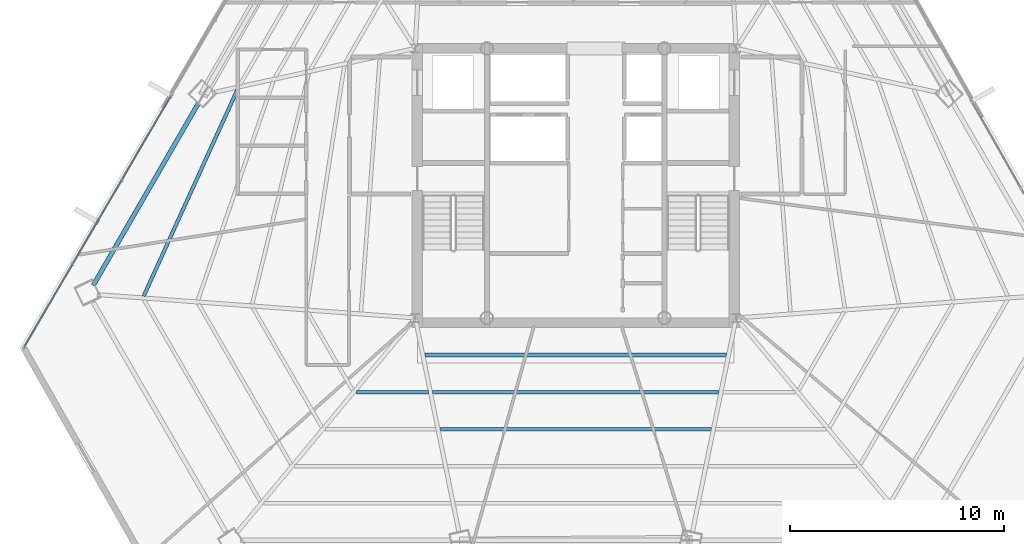
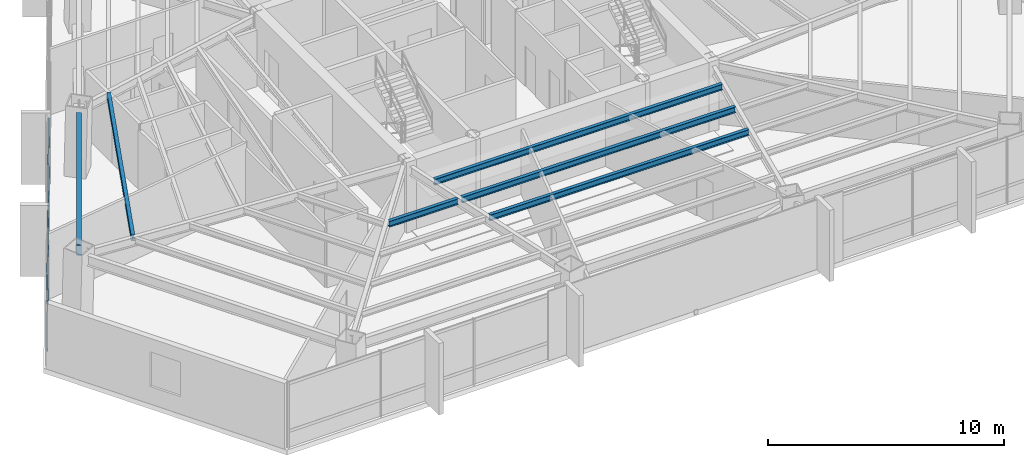
# One storey, part 11 of 41: 6 beams, 2 members, 1 element without a shape of its own.
"""IFC4 building model written with IfcOpenShell, lengths in metres."""

import ifcopenshell
import ifcopenshell.guid

model = None  # the IFC model being written
_history = None  # IfcOwnerHistory: only IFC2X3 demands one
_inside = {}  # id of a spatial element -> (the spatial element, [elements in it])
_under = {}  # id of a project, library or spatial element -> (it, [spatial elements below it])
_declared = {}  # id of a project -> (the project, [libraries it declares])
_typed = {}  # id of a type object -> (the type object, [elements of that type])
_made_of = {}  # id of a material, layer set ... -> (it, [elements and type objects made of it])


def new_model(schema):
    """Start an empty IFC model of exactly this schema.

    Asked for "IFC4X3", IfcOpenShell would pick the latest addendum, in which some entities
    have other attributes; the version numbers below select the first issue.
    IFC2X3 requires an IfcOwnerHistory on every rooted entity: one is made here for all.
    """
    global model, _history
    if schema == "IFC4X3":
        model = ifcopenshell.file(schema_version=(4, 3, 0, 0))
    else:
        model = ifcopenshell.file(schema=schema)
    _inside.clear()
    _under.clear()
    _declared.clear()
    _typed.clear()
    _made_of.clear()
    _history = None
    if model.schema == "IFC2X3":
        org = make("IfcOrganization", Name="unknown")
        user = make(
            "IfcPersonAndOrganization",
            ThePerson=make("IfcPerson", FamilyName="unknown"),
            TheOrganization=org,
        )
        app = make(
            "IfcApplication",
            ApplicationDeveloper=org,
            Version="unknown",
            ApplicationFullName="unknown",
            ApplicationIdentifier="unknown",
        )
        _history = make(
            "IfcOwnerHistory",
            OwningUser=user,
            OwningApplication=app,
            ChangeAction="ADDED",
            CreationDate=0,
        )
    return model


def make(cls, **values):
    """One entity of the class cls with the attributes given. An attribute that is None is left unset."""
    return model.create_entity(
        cls, **{name: value for name, value in values.items() if value is not None}
    )


def rooted(cls, **values):
    """An entity with a GlobalId (a new one), such as an element, a storey or a relation."""
    return make(cls, GlobalId=ifcopenshell.guid.new(), OwnerHistory=_history, **values)


def si_unit(unit_type, name, prefix=None):
    """IfcSIUnit, for example si_unit("LENGTHUNIT", "METRE", prefix="MILLI")."""
    return make("IfcSIUnit", UnitType=unit_type, Prefix=prefix, Name=name)


def assignment(units):
    """IfcUnitAssignment: the units of a project."""
    return None if units is None else make("IfcUnitAssignment", Units=units)


def point(xyz):
    """IfcCartesianPoint."""
    return None if xyz is None else make("IfcCartesianPoint", Coordinates=xyz)


def direction(xyz):
    """IfcDirection."""
    return None if xyz is None else make("IfcDirection", DirectionRatios=xyz)


def frame(location, z_axis=None, x_axis=None):
    """IfcAxis2Placement3D, a coordinate frame: its origin and axes. An axis left out is left unset."""
    return make(
        "IfcAxis2Placement3D",
        Location=point(location),
        Axis=direction(z_axis),
        RefDirection=direction(x_axis),
    )


def frame_2d(location, x_axis=None):
    """IfcAxis2Placement2D, a coordinate frame in the plane: its origin and x axis."""
    return make(
        "IfcAxis2Placement2D", Location=point(location), RefDirection=direction(x_axis)
    )


def origin():
    """The frame at (0, 0, 0) with its axes left unset."""
    return frame((0.0, 0.0, 0.0))


def origin_2d():
    """The frame at (0, 0) in the plane with its x axis left unset."""
    return frame_2d((0.0, 0.0))


def place(relative_to, where):
    """IfcLocalPlacement: puts the frame where relative to a parent placement (None: the world)."""
    return make(
        "IfcLocalPlacement", PlacementRelTo=relative_to, RelativePlacement=where
    )


def context(
    kind, dimensions, precision=None, world=None, true_north=None, identifier=None
):
    """IfcGeometricRepresentationContext, for example the 3D "Model" context."""
    return make(
        "IfcGeometricRepresentationContext",
        ContextIdentifier=identifier,
        ContextType=kind,
        CoordinateSpaceDimension=dimensions,
        Precision=precision,
        WorldCoordinateSystem=world,
        TrueNorth=true_north,
    )


def subcontext(parent, identifier, kind, view, scale=None):
    """IfcGeometricRepresentationSubContext, for example "Body" below "Model"."""
    return make(
        "IfcGeometricRepresentationSubContext",
        ContextIdentifier=identifier,
        ContextType=kind,
        ParentContext=parent,
        TargetScale=scale,
        TargetView=view,
    )


def project(units=None, contexts=None):
    """IfcProject with its units and contexts."""
    return rooted(
        "IfcProject",
        Name="project",
        RepresentationContexts=contexts,
        UnitsInContext=assignment(units),
    )


def spatial(cls, under=None, at=None, **own):
    """A site, building, storey or space (cls), placed at a placement, below another one or the project."""
    s = rooted(cls, ObjectPlacement=at, **own)
    if under is not None:
        _under.setdefault(under.id(), (under, []))[1].append(s)
    return s


def profile(cls, at=None, kind="AREA", **sizes):
    """A parametric profile (cls). Its sizes go by their IFC names, for example OverallWidth=200.0."""
    return make(cls, ProfileType=kind, Position=at, **sizes)


def hollow_rectangle(**sizes):
    """IfcRectangleHollowProfileDef."""
    return profile("IfcRectangleHollowProfileDef", **sizes)


def i_section(**sizes):
    """IfcIShapeProfileDef."""
    return profile("IfcIShapeProfileDef", **sizes)


def extrude(swept, where, along, depth):
    """IfcExtrudedAreaSolid: the profile swept, set in the frame where, extruded along a direction by depth."""
    return make(
        "IfcExtrudedAreaSolid",
        SweptArea=swept,
        Position=where,
        ExtrudedDirection=direction(along),
        Depth=depth,
    )


def shape(context_of_items, identifier, shape_type, items):
    """IfcShapeRepresentation: the items that make up one representation, for example the "Body"."""
    return make(
        "IfcShapeRepresentation",
        ContextOfItems=context_of_items,
        RepresentationIdentifier=identifier,
        RepresentationType=shape_type,
        Items=items,
    )


def source(mapping_origin, context_of_items, identifier, shape_type, items):
    """IfcRepresentationMap: a shape defined once, which mapped items show again and again."""
    return make(
        "IfcRepresentationMap",
        MappingOrigin=mapping_origin,
        MappedRepresentation=shape(context_of_items, identifier, shape_type, items),
    )


def transform(
    local_origin,
    x_axis=None,
    y_axis=None,
    z_axis=None,
    scale=None,
    scale2=None,
    scale3=None,
    uniform=True,
):
    """IfcCartesianTransformationOperator3D, or its non-uniform kind. x_axis, y_axis, z_axis: its Axis1, 2, 3."""
    if uniform:
        return make(
            "IfcCartesianTransformationOperator3D",
            Axis1=direction(x_axis),
            Axis2=direction(y_axis),
            LocalOrigin=point(local_origin),
            Scale=scale,
            Axis3=direction(z_axis),
        )
    return make(
        "IfcCartesianTransformationOperator3DnonUniform",
        Axis1=direction(x_axis),
        Axis2=direction(y_axis),
        LocalOrigin=point(local_origin),
        Scale=scale,
        Axis3=direction(z_axis),
        Scale2=scale2,
        Scale3=scale3,
    )


def mapped(mapping_source, mapping_target):
    """IfcMappedItem: shows the shape of a source again, moved by a transform."""
    return make(
        "IfcMappedItem", MappingSource=mapping_source, MappingTarget=mapping_target
    )


def material(Name=None, Category=None):
    """IfcMaterial."""
    return make("IfcMaterial", Name=Name, Category=Category)


def material_profile(
    of_material, cross_section, Name=None, Category=None, Priority=None
):
    """IfcMaterialProfile: a cross section and its material."""
    return make(
        "IfcMaterialProfile",
        Name=Name,
        Material=of_material,
        Profile=cross_section,
        Priority=Priority,
        Category=Category,
    )


def profile_set(profiles, Name=None, composite=None):
    """IfcMaterialProfileSet."""
    return make(
        "IfcMaterialProfileSet",
        Name=Name,
        MaterialProfiles=profiles,
        CompositeProfile=composite,
    )


def made_of(thing, what):
    """Note that an element or type object is made of a material, layer set ...; save() writes the relation."""
    if what is not None:
        _made_of.setdefault(what.id(), (what, []))[1].append(thing)
    return thing


def type_object(cls, material=None, **own):
    """A type object (cls), such as IfcWallType, which elements share."""
    return made_of(rooted(cls, **own), material)


def type_shapes(of_type, sources):
    """Give a type object the sources (RepresentationMaps) that its elements show as mapped items."""
    of_type.RepresentationMaps = sources


def element(
    cls,
    number,
    at=None,
    inside=None,
    cuts=None,
    type_object=None,
    material=None,
    context=None,
    identifier="Body",
    shape_type=None,
    held_by="IfcProductDefinitionShape",
    body=None,
    shapes=None,
    **own,
):
    """One element of the class cls, such as IfcWall. Its Tag is "e" and its number.

    at: its placement. inside: the storey or other place that contains it. cuts: it is an
    opening in that element (IfcRelVoidsElement). A single representation is given by context,
    identifier, shape_type and body (its items); several are given by shapes. held_by: the class
    of the entity that holds the representations. save() writes the other relations.
    """
    e = rooted(cls, Tag="e%d" % number, ObjectPlacement=at, **own)
    if body is not None:
        shapes = [shape(context, identifier, shape_type, body)]
    if shapes is not None:
        e.Representation = make(held_by, Representations=shapes)
    if inside is not None:
        _inside.setdefault(inside.id(), (inside, []))[1].append(e)
    if cuts is not None:
        rooted(
            "IfcRelVoidsElement", RelatingBuildingElement=cuts, RelatedOpeningElement=e
        )
    if type_object is not None:
        _typed.setdefault(type_object.id(), (type_object, []))[1].append(e)
    return made_of(e, material)


def aggregate(whole, parts):
    """IfcRelAggregates: a whole, such as a stair, and the parts it consists of."""
    return rooted("IfcRelAggregates", RelatingObject=whole, RelatedObjects=parts)


def save(model, path):
    """Write the relations noted so far, then the file.

    IfcRelAggregates (storeys below a building ...), IfcRelContainedInSpatialStructure (elements
    in a storey), IfcRelDefinesByType, IfcRelAssociatesMaterial and IfcRelDeclares: one each for
    every whole, place, type object, material and project.
    """
    for whole, parts in _under.values():
        aggregate(whole, parts)
    for where, things in _inside.values():
        rooted(
            "IfcRelContainedInSpatialStructure",
            RelatedElements=things,
            RelatingStructure=where,
        )
    for kind, things in _typed.values():
        rooted("IfcRelDefinesByType", RelatedObjects=things, RelatingType=kind)
    for what, things in _made_of.values():
        rooted("IfcRelAssociatesMaterial", RelatedObjects=things, RelatingMaterial=what)
    for by, libraries in _declared.values():
        rooted("IfcRelDeclares", RelatingContext=by, RelatedDefinitions=libraries)
    model.write(path)


model = new_model("IFC4")

# Units and contexts
model_context = context("Model", 3, precision=1e-05, world=origin(), true_north=direction((0.0, 1.0)))
body_context = subcontext(model_context, "Body", "Model", "MODEL_VIEW")
ifc_project = project(units=[si_unit("LENGTHUNIT", "METRE"), si_unit("AREAUNIT", "SQUARE_METRE"), si_unit("VOLUMEUNIT", "CUBIC_METRE"), si_unit("PLANEANGLEUNIT", "RADIAN"), si_unit("MASSUNIT", "GRAM", prefix="KILO")], contexts=[model_context])

# Site, building, storey
site_placement = place(None, origin())
site = spatial("IfcSite", under=ifc_project, at=site_placement, CompositionType="ELEMENT")
building_placement = place(site_placement, origin())
building = spatial("IfcBuilding", under=site, at=building_placement, Name="Caelisora Broadcast Tower", CompositionType="ELEMENT")
storey_placement = place(building_placement, frame((0.0, 0.0, 135.449951171875)))
storey = spatial("IfcBuildingStorey", under=building, at=storey_placement, Name="L35", CompositionType="ELEMENT", Elevation=135.449951171875)

# Beams
ifc_material_1 = material(Name="Steel Grade 350 (AS/NZS 3679.1)", Category="steel")
ifc_material_profile_1 = material_profile(ifc_material_1, i_section(OverallWidth=0.208984375, OverallDepth=0.532958984375, WebThickness=0.01025390625, FlangeThickness=0.015625, at=origin_2d()), Name="Steel Grade 350 (AS/NZS 3679.1)")
ifc_profile_set_1 = profile_set([ifc_material_profile_1], Name="Steel Grade 350 (AS/NZS 3679.1)")
beam_type_1 = type_object("IfcBeamType", Name="PG05", PredefinedType="BEAM", material=ifc_profile_set_1)
shared_shape_1 = source(origin(), body_context, "Body", "SweptSolid", [
    extrude(i_section(OverallWidth=0.208984375, OverallDepth=0.532958984375, WebThickness=0.01025390625, FlangeThickness=0.015625, at=origin_2d()), origin(), (0.0, 0.0, 1.0), 9.8359375),
])
type_shapes(beam_type_1, [shared_shape_1])
beam_1_placement = place(storey_placement, frame((20.365966796875, 27.439697265625, 3.133544921875), z_axis=(-0.500004637421, -0.866022726352, 0.0), x_axis=(0.866022726352, -0.500004637421, 0.0)))
element("IfcBeam", 1, at=beam_1_placement, inside=storey, type_object=beam_type_1, Name="L35 beam PG05", PredefinedType="BEAM", context=body_context, shape_type="MappedRepresentation", body=[
    mapped(shared_shape_1, transform((0.0, 0.0, 0.0), scale=1.0)),
])
ifc_material_profile_2 = material_profile(ifc_material_1, i_section(OverallWidth=0.166015625, OverallDepth=0.30712890625, WebThickness=0.006591796875, FlangeThickness=0.01171875, at=origin_2d()), Name="Steel Grade 350 (AS/NZS 3679.1)")
ifc_profile_set_2 = profile_set([ifc_material_profile_2], Name="Steel Grade 350 (AS/NZS 3679.1)")
beam_type_2 = type_object("IfcBeamType", Name="SB03", PredefinedType="JOIST", material=ifc_profile_set_2)
shared_shape_2 = source(origin(), body_context, "Body", "SweptSolid", [
    extrude(i_section(OverallWidth=0.166015625, OverallDepth=0.30712890625, WebThickness=0.006591796875, FlangeThickness=0.01171875, at=origin_2d()), origin(), (0.0, 0.0, 1.0), 10.6181640625),
])
beam_2_placement = place(storey_placement, frame((22.198486328125, 28.0927734375, 3.246337890625), z_axis=(-0.413685142483, -0.910420014548, 0.0), x_axis=(0.910420014548, -0.413685142483, 0.0)))
element("IfcBeam", 2, at=beam_2_placement, inside=storey, type_object=beam_type_2, Name="L35 beam SB03", PredefinedType="JOIST", context=body_context, shape_type="MappedRepresentation", body=[
    mapped(shared_shape_2, transform((0.0, 0.0, 0.0), scale=1.0)),
])
shared_shape_3 = source(origin(), body_context, "Body", "SweptSolid", [
    extrude(i_section(OverallWidth=0.166015625, OverallDepth=0.30712890625, WebThickness=0.006591796875, FlangeThickness=0.01171875, at=origin_2d()), origin(), (0.0, 0.0, 1.0), 3.36962890625),
])
beam_3_placement = place(storey_placement, frame((27.7431640625, 13.936279296875, 3.246337890625), z_axis=(1.0, 0.0, 0.0), x_axis=(0.0, 1.0, 0.0)))
element("IfcBeam", 3, at=beam_3_placement, inside=storey, type_object=beam_type_2, Name="L35 beam SB03", PredefinedType="JOIST", context=body_context, shape_type="MappedRepresentation", body=[
    mapped(shared_shape_3, transform((0.0, 0.0, 0.0), scale=1.0)),
])
shared_shape_4 = source(origin(), body_context, "Body", "SweptSolid", [
    extrude(i_section(OverallWidth=0.166015625, OverallDepth=0.30712890625, WebThickness=0.006591796875, FlangeThickness=0.01171875, at=origin_2d()), origin(), (0.0, 0.0, 1.0), 14.103515625),
])
beam_4_placement = place(storey_placement, frame((30.9482421875, 15.668212890625, 3.246337890625), z_axis=(1.0, 0.0, 0.0), x_axis=(0.0, 1.0, 0.0)))
element("IfcBeam", 4, at=beam_4_placement, inside=storey, type_object=beam_type_2, Name="L35 beam SB03", PredefinedType="JOIST", context=body_context, shape_type="MappedRepresentation", body=[
    mapped(shared_shape_4, transform((0.0, 0.0, 0.0), scale=1.0)),
])
shared_shape_5 = source(origin(), body_context, "Body", "SweptSolid", [
    extrude(i_section(OverallWidth=0.166015625, OverallDepth=0.30712890625, WebThickness=0.006591796875, FlangeThickness=0.01171875, at=origin_2d()), origin(), (0.0, 0.0, 1.0), 13.396484375),
])
beam_5_placement = place(storey_placement, frame((31.3017578125, 13.936279296875, 3.246337890625), z_axis=(1.0, 0.0, 0.0), x_axis=(0.0, 1.0, 0.0)))
element("IfcBeam", 5, at=beam_5_placement, inside=storey, type_object=beam_type_2, Name="L35 beam SB03", PredefinedType="JOIST", context=body_context, shape_type="MappedRepresentation", body=[
    mapped(shared_shape_5, transform((0.0, 0.0, 0.0), scale=1.0)),
])
shared_shape_6 = source(origin(), body_context, "Body", "SweptSolid", [
    extrude(i_section(OverallWidth=0.166015625, OverallDepth=0.30712890625, WebThickness=0.006591796875, FlangeThickness=0.01171875, at=origin_2d()), origin(), (0.0, 0.0, 1.0), 12.68896484375),
])
type_shapes(beam_type_2, [shared_shape_2, shared_shape_3, shared_shape_4, shared_shape_5, shared_shape_6])
beam_6_placement = place(storey_placement, frame((31.655517578125, 12.2041015625, 3.246337890625), z_axis=(1.0, 0.0, 0.0), x_axis=(0.0, 1.0, 0.0)))
element("IfcBeam", 6, at=beam_6_placement, inside=storey, type_object=beam_type_2, Name="L35 beam SB03", PredefinedType="JOIST", context=body_context, shape_type="MappedRepresentation", body=[
    mapped(shared_shape_6, transform((0.0, 0.0, 0.0), scale=1.0)),
])

# Curtain wall, members
ifc_material_2 = material(Name="Unitised Aluminium and Low-E Glass Curtain Wall", Category="glass")
curtain_wall_type = type_object("IfcCurtainWallType", Name="CW-Z3", PredefinedType="NOTDEFINED", material=ifc_material_2)
curtain_wall_placement = place(storey_placement, origin())
curtain_wall = element("IfcCurtainWall", 7, at=curtain_wall_placement, inside=storey, type_object=curtain_wall_type, Name="L35 curtain wall CW-Z3", PredefinedType="NOTDEFINED")
ifc_material_3 = material(Name="Aluminium 6063-T6 Anodised Terracotta Bronze", Category="aluminium")
ifc_material_profile_3 = material_profile(ifc_material_3, hollow_rectangle(XDim=0.06005859375, YDim=0.14990234375, WallThickness=0.00341796875, at=origin_2d()), Name="Aluminium 6063-T6 Anodised Terracotta Bronze")
ifc_profile_set_3 = profile_set([ifc_material_profile_3], Name="Aluminium 6063-T6 Anodised Terracotta Bronze")
member_type = type_object("IfcMemberType", Name="CWT-02", PredefinedType="USERDEFINED", material=ifc_profile_set_3)
shared_shape_7 = source(origin(), body_context, "Body", "SweptSolid", [
    extrude(hollow_rectangle(XDim=0.06005859375, YDim=0.14990234375, WallThickness=0.00341796875, at=origin_2d()), origin(), (0.0, 0.0, 1.0), 13.544677734375),
])
type_shapes(member_type, [shared_shape_7])
member_1_placement = place(storey_placement, frame((12.22216796875, 16.043212890625, 0.85009765625), z_axis=(0.504555630175, 0.863379184402, 0.0), x_axis=(-0.863379184402, 0.504555630175, 0.0)))
member_1 = element("IfcMember", 8, at=member_1_placement, type_object=member_type, Name="L35-CW-B09 transom #1", ObjectType="TRANSOM", PredefinedType="USERDEFINED", context=body_context, shape_type="MappedRepresentation", body=[
    mapped(shared_shape_7, transform((0.0, 0.0, 0.0), scale=1.0)),
])
member_2_placement = place(storey_placement, frame((12.22216796875, 16.043212890625, 3.320068359375), z_axis=(0.504555630175, 0.863379184402, 0.0), x_axis=(-0.863379184402, 0.504555630175, 0.0)))
member_2 = element("IfcMember", 9, at=member_2_placement, type_object=member_type, Name="L35-CW-B09 transom #2", ObjectType="TRANSOM", PredefinedType="USERDEFINED", context=body_context, shape_type="MappedRepresentation", body=[
    mapped(shared_shape_7, transform((0.0, 0.0, 0.0), scale=1.0)),
])
aggregate(curtain_wall, [member_1, member_2])

save(model, "model.ifc")
